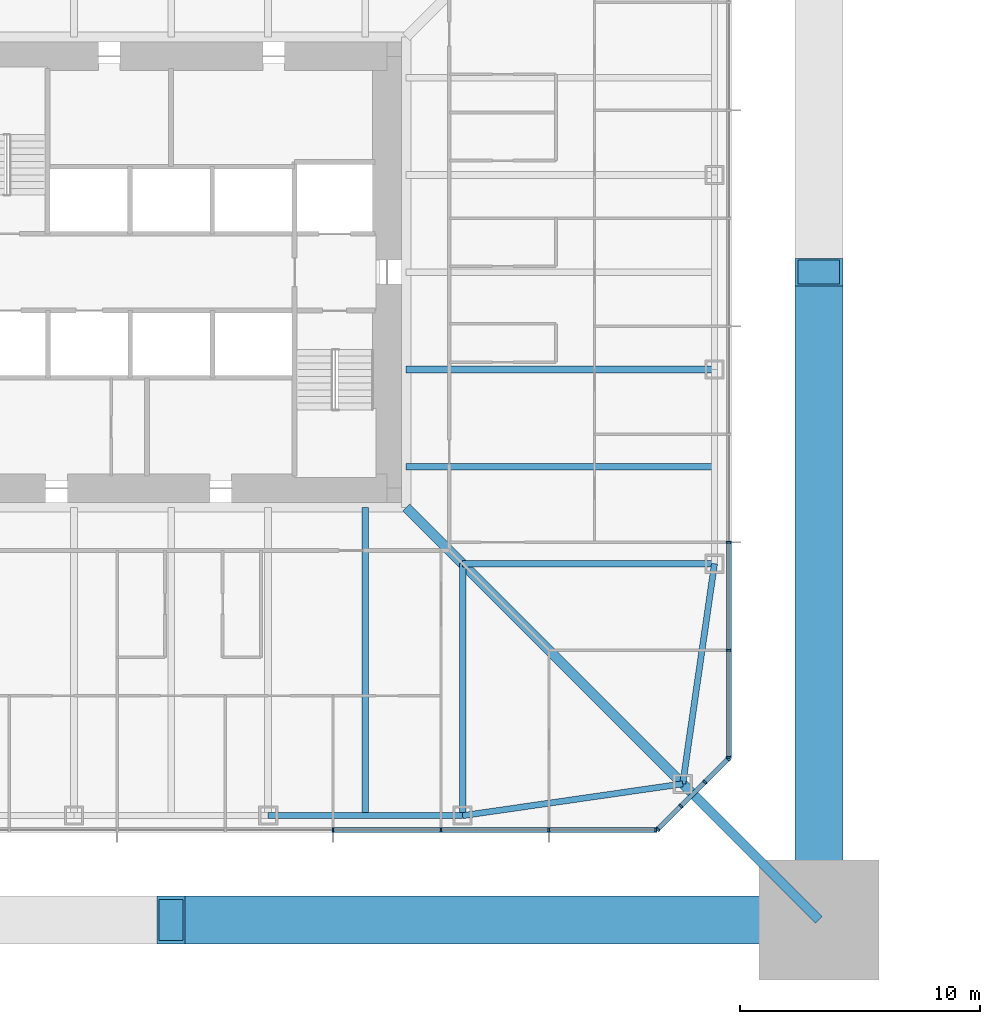
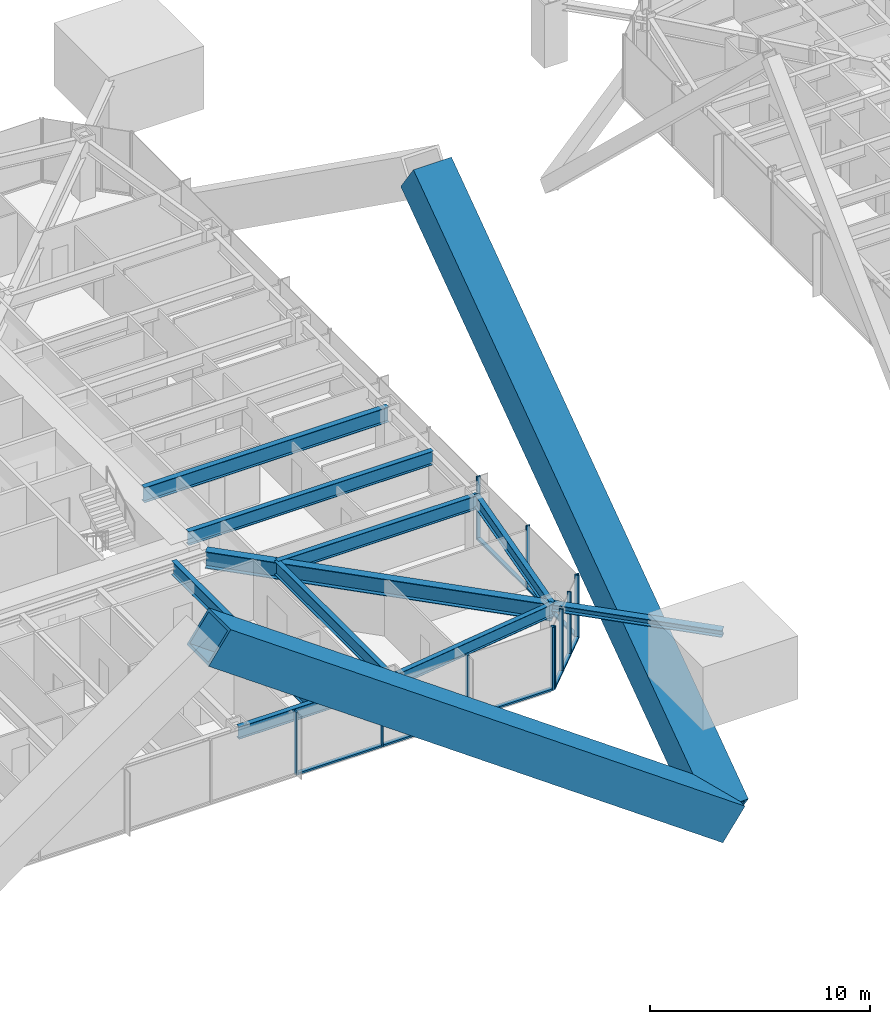
# One storey, part 5 of 28: 22 members, 9 beams, 3 elements without a shape of their own.
"""IFC4 building model written with IfcOpenShell, lengths in metres."""

from ifc_helpers import new_model, si_unit, direction, frame, origin, origin_2d, place, context, subcontext, project, spatial, rectangle, hollow_rectangle, i_section, extrude, material, material_profile, profile_set, type_object, element, aggregate, save


model = new_model("IFC4")

# Units and contexts
model_context = context("Model", 3, precision=1e-05, world=origin(), true_north=direction((0.0, 1.0)))
body_context = subcontext(model_context, "Body", "Model", "MODEL_VIEW")
ifc_project = project(units=[si_unit("LENGTHUNIT", "METRE"), si_unit("AREAUNIT", "SQUARE_METRE"), si_unit("VOLUMEUNIT", "CUBIC_METRE"), si_unit("PLANEANGLEUNIT", "RADIAN"), si_unit("MASSUNIT", "GRAM", prefix="KILO")], contexts=[model_context])

# Site, building, storey
site_placement = place(None, origin())
site = spatial("IfcSite", under=ifc_project, at=site_placement, CompositionType="ELEMENT")
building_placement = place(site_placement, origin())
building = spatial("IfcBuilding", under=site, at=building_placement, Name="Iwan Alto Co-Living Towers", CompositionType="ELEMENT")
storey_placement = place(building_placement, frame((0.0, 0.0, 43.0)))
storey = spatial("IfcBuildingStorey", under=building, at=storey_placement, Name="L11", CompositionType="ELEMENT", Elevation=43.0)

# Curtain wall, members
ifc_material_1 = material(Name="Bronze aluminium unitised frame", Category="aluminium")
curtain_wall_type_1 = type_object("IfcCurtainWallType", Name="CURTAIN WALL CW-A", PredefinedType="NOTDEFINED", material=ifc_material_1)
curtain_wall_1_placement = place(storey_placement, origin())
curtain_wall_1 = element("IfcCurtainWall", 1, at=curtain_wall_1_placement, inside=storey, type_object=curtain_wall_type_1, Name="T1 curtain wall S L11", PredefinedType="NOTDEFINED")
ifc_material_2 = material(Name="Aluminium 6063-T6 bronze anodised", Category="aluminium")
ifc_material_profile_1 = material_profile(ifc_material_2, rectangle(XDim=0.199951171875, YDim=0.080078125, at=origin_2d()), Name="AL 80X200")
ifc_profile_set_1 = profile_set([ifc_material_profile_1], Name="Aluminium 6063-T6 bronze anodised")
member_type_1 = type_object("IfcMemberType", Name="CW-A MULLION 80X200", PredefinedType="MULLION", material=ifc_profile_set_1)
member_1_placement = place(storey_placement, frame((6.75, -23.25, 0.0), z_axis=(0.0, 0.0, 1.0), x_axis=(0.0, 1.0, 0.0)))
member_1 = element("IfcMember", 2, at=member_1_placement, type_object=member_type_1, Name="CW-A mullion 7", PredefinedType="MULLION", context=body_context, shape_type="SweptSolid", body=[
    extrude(rectangle(XDim=0.199951171875, YDim=0.080078125, at=origin_2d()), origin(), (0.0, 0.0, 1.0), 3.5),
])
member_2_placement = place(storey_placement, frame((11.25, -23.25, 0.0), z_axis=(0.0, 0.0, 1.0), x_axis=(0.0, 1.0, 0.0)))
member_2 = element("IfcMember", 3, at=member_2_placement, type_object=member_type_1, Name="CW-A mullion 8", PredefinedType="MULLION", context=body_context, shape_type="SweptSolid", body=[
    extrude(rectangle(XDim=0.199951171875, YDim=0.080078125, at=origin_2d()), origin(), (0.0, 0.0, 1.0), 3.5),
])
member_3_placement = place(storey_placement, frame((15.75, -23.25, 0.0), z_axis=(0.0, 0.0, 1.0), x_axis=(0.0, 1.0, 0.0)))
member_3 = element("IfcMember", 4, at=member_3_placement, type_object=member_type_1, Name="CW-A mullion 9", PredefinedType="MULLION", context=body_context, shape_type="SweptSolid", body=[
    extrude(rectangle(XDim=0.199951171875, YDim=0.080078125, at=origin_2d()), origin(), (0.0, 0.0, 1.0), 3.5),
])
member_4_placement = place(storey_placement, frame((20.2099609375, -23.25, 0.0), z_axis=(0.0, 0.0, 1.0), x_axis=(0.0, 1.0, 0.0)))
member_4 = element("IfcMember", 5, at=member_4_placement, type_object=member_type_1, Name="CW-A mullion 10", PredefinedType="MULLION", context=body_context, shape_type="SweptSolid", body=[
    extrude(rectangle(XDim=0.199951171875, YDim=0.080078125, at=origin_2d()), origin(), (0.0, 0.0, 1.0), 3.5),
])

curtain_wall_2_placement = place(storey_placement, origin())
curtain_wall_2 = element("IfcCurtainWall", 6, at=curtain_wall_2_placement, inside=storey, type_object=curtain_wall_type_1, Name="T1 curtain wall E L11", PredefinedType="NOTDEFINED")
member_5_placement = place(storey_placement, frame((23.25, -20.2099609375, 0.0), z_axis=(0.0, 0.0, 1.0), x_axis=(-1.0, 0.0, 0.0)))
member_5 = element("IfcMember", 7, at=member_5_placement, type_object=member_type_1, Name="CW-A mullion 1", PredefinedType="MULLION", context=body_context, shape_type="SweptSolid", body=[
    extrude(rectangle(XDim=0.199951171875, YDim=0.080078125, at=origin_2d()), origin(), (0.0, 0.0, 1.0), 3.5),
])
member_6_placement = place(storey_placement, frame((23.25, -15.75, 0.0), z_axis=(0.0, 0.0, 1.0), x_axis=(-1.0, 0.0, 0.0)))
member_6 = element("IfcMember", 8, at=member_6_placement, type_object=member_type_1, Name="CW-A mullion 2", PredefinedType="MULLION", context=body_context, shape_type="SweptSolid", body=[
    extrude(rectangle(XDim=0.199951171875, YDim=0.080078125, at=origin_2d()), origin(), (0.0, 0.0, 1.0), 3.5),
])
member_7_placement = place(storey_placement, frame((23.25, -11.25, 0.0), z_axis=(0.0, 0.0, 1.0), x_axis=(-1.0, 0.0, 0.0)))
member_7 = element("IfcMember", 9, at=member_7_placement, type_object=member_type_1, Name="CW-A mullion 3", PredefinedType="MULLION", context=body_context, shape_type="SweptSolid", body=[
    extrude(rectangle(XDim=0.199951171875, YDim=0.080078125, at=origin_2d()), origin(), (0.0, 0.0, 1.0), 3.5),
])

# Member
ifc_material_3 = material(Name="Aluminium 6063-T6 bronze anodised", Category="aluminium")
ifc_material_profile_2 = material_profile(ifc_material_3, rectangle(XDim=0.199951171875, YDim=0.10009765625, at=origin_2d()), Name="AL 200X100")
ifc_profile_set_2 = profile_set([ifc_material_profile_2], Name="Aluminium 6063-T6 bronze anodised")
member_type_2 = type_object("IfcMemberType", Name="CW-A TRANSOM 200X100", PredefinedType="USERDEFINED", material=ifc_profile_set_2)
member_8_placement = place(storey_placement, frame((6.7900390625, -23.25, 0.050048828125), z_axis=(1.0, 0.0, 0.0), x_axis=(0.0, 1.0, 0.0)))
member_8 = element("IfcMember", 10, at=member_8_placement, type_object=member_type_2, Name="CW-A transom 7.1", ObjectType="TRANSOM", PredefinedType="USERDEFINED", context=body_context, shape_type="SweptSolid", body=[
    extrude(rectangle(XDim=0.199951171875, YDim=0.10009765625, at=origin_2d()), origin(), (0.0, 0.0, 1.0), 4.419921875),
])

member_9_placement = place(storey_placement, frame((11.2900390625, -23.25, 0.050048828125), z_axis=(1.0, 0.0, 0.0), x_axis=(0.0, 1.0, 0.0)))
member_9 = element("IfcMember", 11, at=member_9_placement, type_object=member_type_2, Name="CW-A transom 8.1", ObjectType="TRANSOM", PredefinedType="USERDEFINED", context=body_context, shape_type="SweptSolid", body=[
    extrude(rectangle(XDim=0.199951171875, YDim=0.10009765625, at=origin_2d()), origin(), (0.0, 0.0, 1.0), 4.419921875),
])

member_10_placement = place(storey_placement, frame((15.7900390625, -23.25, 0.050048828125), z_axis=(1.0, 0.0, 0.0), x_axis=(0.0, 1.0, 0.0)))
member_10 = element("IfcMember", 12, at=member_10_placement, type_object=member_type_2, Name="CW-A transom 9.1", ObjectType="TRANSOM", PredefinedType="USERDEFINED", context=body_context, shape_type="SweptSolid", body=[
    extrude(rectangle(XDim=0.199951171875, YDim=0.10009765625, at=origin_2d()), origin(), (0.0, 0.0, 1.0), 4.3798828125),
])

aggregate(curtain_wall_1, [member_1, member_2, member_3, member_4, member_8, member_9, member_10])

member_11_placement = place(storey_placement, frame((23.25, -20.169921875, 0.050048828125), z_axis=(0.0, 1.0, 0.0), x_axis=(-1.0, 0.0, 0.0)))
member_11 = element("IfcMember", 13, at=member_11_placement, type_object=member_type_2, Name="CW-A transom 1.1", ObjectType="TRANSOM", PredefinedType="USERDEFINED", context=body_context, shape_type="SweptSolid", body=[
    extrude(rectangle(XDim=0.199951171875, YDim=0.10009765625, at=origin_2d()), origin(), (0.0, 0.0, 1.0), 4.3798828125),
])

member_12_placement = place(storey_placement, frame((23.25, -15.7099609375, 0.050048828125), z_axis=(0.0, 1.0, 0.0), x_axis=(-1.0, 0.0, 0.0)))
member_12 = element("IfcMember", 14, at=member_12_placement, type_object=member_type_2, Name="CW-A transom 2.1", ObjectType="TRANSOM", PredefinedType="USERDEFINED", context=body_context, shape_type="SweptSolid", body=[
    extrude(rectangle(XDim=0.199951171875, YDim=0.10009765625, at=origin_2d()), origin(), (0.0, 0.0, 1.0), 4.419921875),
])

aggregate(curtain_wall_2, [member_5, member_6, member_7, member_11, member_12])

# Curtain wall, members
ifc_material_4 = material(Name="Bronze aluminium unitised frame", Category="aluminium")
curtain_wall_type_2 = type_object("IfcCurtainWallType", Name="CURTAIN WALL CW-B", PredefinedType="NOTDEFINED", material=ifc_material_4)
curtain_wall_3_placement = place(storey_placement, origin())
curtain_wall_3 = element("IfcCurtainWall", 15, at=curtain_wall_3_placement, inside=storey, type_object=curtain_wall_type_2, Name="T1 chamfer curtain wall SE L11", PredefinedType="NOTDEFINED")
ifc_material_5 = material(Name="Aluminium 6063-T6 bronze anodised", Category="aluminium")
ifc_material_profile_3 = material_profile(ifc_material_5, rectangle(XDim=0.199951171875, YDim=0.080078125, at=origin_2d()), Name="AL 80X200")
ifc_profile_set_3 = profile_set([ifc_material_profile_3], Name="Aluminium 6063-T6 bronze anodised")
member_type_3 = type_object("IfcMemberType", Name="CW-B MULLION 80X200", PredefinedType="MULLION", material=ifc_profile_set_3)
member_13_placement = place(storey_placement, frame((20.2783203125, -23.2216796875, 0.0), z_axis=(0.0, 0.0, 1.0), x_axis=(-0.707106781187, 0.707106781187, 0.0)))
member_13 = element("IfcMember", 16, at=member_13_placement, type_object=member_type_3, Name="CW-B mullion 1", PredefinedType="MULLION", context=body_context, shape_type="SweptSolid", body=[
    extrude(rectangle(XDim=0.199951171875, YDim=0.080078125, at=origin_2d()), origin(), (0.0, 0.0, 1.0), 3.5),
])
member_14_placement = place(storey_placement, frame((21.25, -22.25, 0.0), z_axis=(0.0, 0.0, 1.0), x_axis=(-0.707106781187, 0.707106781187, 0.0)))
member_14 = element("IfcMember", 17, at=member_14_placement, type_object=member_type_3, Name="CW-B mullion 2", PredefinedType="MULLION", context=body_context, shape_type="SweptSolid", body=[
    extrude(rectangle(XDim=0.199951171875, YDim=0.080078125, at=origin_2d()), origin(), (0.0, 0.0, 1.0), 3.5),
])
member_15_placement = place(storey_placement, frame((22.25, -21.25, 0.0), z_axis=(0.0, 0.0, 1.0), x_axis=(-0.707106781187, 0.707106781187, 0.0)))
member_15 = element("IfcMember", 18, at=member_15_placement, type_object=member_type_3, Name="CW-B mullion 3", PredefinedType="MULLION", context=body_context, shape_type="SweptSolid", body=[
    extrude(rectangle(XDim=0.199951171875, YDim=0.080078125, at=origin_2d()), origin(), (0.0, 0.0, 1.0), 3.5),
])
member_16_placement = place(storey_placement, frame((23.2216796875, -20.2783203125, 0.0), z_axis=(0.0, 0.0, 1.0), x_axis=(-0.707106781187, 0.707106781187, 0.0)))
member_16 = element("IfcMember", 19, at=member_16_placement, type_object=member_type_3, Name="CW-B mullion 4", PredefinedType="MULLION", context=body_context, shape_type="SweptSolid", body=[
    extrude(rectangle(XDim=0.199951171875, YDim=0.080078125, at=origin_2d()), origin(), (0.0, 0.0, 1.0), 3.5),
])
ifc_material_6 = material(Name="Aluminium 6063-T6 bronze anodised", Category="aluminium")
ifc_material_profile_4 = material_profile(ifc_material_6, rectangle(XDim=0.199951171875, YDim=0.10009765625, at=origin_2d()), Name="AL 200X100")
ifc_profile_set_4 = profile_set([ifc_material_profile_4], Name="Aluminium 6063-T6 bronze anodised")
member_type_4 = type_object("IfcMemberType", Name="CW-B TRANSOM 200X100", PredefinedType="USERDEFINED", material=ifc_profile_set_4)
member_17_placement = place(storey_placement, frame((20.306640625, -23.193359375, 0.050048828125), z_axis=(0.707106781187, 0.707106781187, 0.0), x_axis=(-0.707106781187, 0.707106781187, 0.0)))
member_17 = element("IfcMember", 20, at=member_17_placement, type_object=member_type_4, Name="CW-B transom 1.1", ObjectType="TRANSOM", PredefinedType="USERDEFINED", context=body_context, shape_type="SweptSolid", body=[
    extrude(rectangle(XDim=0.199951171875, YDim=0.10009765625, at=origin_2d()), origin(), (0.0, 0.0, 1.0), 1.2939453125),
])
member_18_placement = place(storey_placement, frame((21.2783203125, -22.2216796875, 0.050048828125), z_axis=(0.707106781187, 0.707106781187, 0.0), x_axis=(-0.707106781187, 0.707106781187, 0.0)))
member_18 = element("IfcMember", 21, at=member_18_placement, type_object=member_type_4, Name="CW-B transom 2.1", ObjectType="TRANSOM", PredefinedType="USERDEFINED", context=body_context, shape_type="SweptSolid", body=[
    extrude(rectangle(XDim=0.199951171875, YDim=0.10009765625, at=origin_2d()), origin(), (0.0, 0.0, 1.0), 1.334228515625),
])
member_19_placement = place(storey_placement, frame((22.2783203125, -21.2216796875, 0.050048828125), z_axis=(0.707106781187, 0.707106781187, 0.0), x_axis=(-0.707106781187, 0.707106781187, 0.0)))
member_19 = element("IfcMember", 22, at=member_19_placement, type_object=member_type_4, Name="CW-B transom 3.1", ObjectType="TRANSOM", PredefinedType="USERDEFINED", context=body_context, shape_type="SweptSolid", body=[
    extrude(rectangle(XDim=0.199951171875, YDim=0.10009765625, at=origin_2d()), origin(), (0.0, 0.0, 1.0), 1.2939453125),
])
aggregate(curtain_wall_3, [member_13, member_14, member_15, member_16, member_17, member_18, member_19])

# Beams
ifc_material_7 = material(Name="Steel ASTM A992 Gr 50", Category="steel")
ifc_material_profile_5 = material_profile(ifc_material_7, i_section(OverallWidth=0.419189453125, OverallDepth=0.927001953125, WebThickness=0.019287109375, FlangeThickness=0.031982421875, at=origin_2d()), Name="W36X231")
ifc_profile_set_5 = profile_set([ifc_material_profile_5], Name="Steel ASTM A992 Gr 50")
beam_type_1 = type_object("IfcBeamType", Name="T1 CORNER GIRDER W36X231", PredefinedType="BEAM", material=ifc_profile_set_5)
beam_1_placement = place(storey_placement, frame((21.32568359375, -21.32568359375, 2.806396484375), z_axis=(-0.707106781187, 0.707106781187, 0.0), x_axis=(-0.707106781187, -0.707106781187, 0.0)))
element("IfcBeam", 23, at=beam_1_placement, inside=storey, type_object=beam_type_1, Name="T1 corner girder CSE L12", PredefinedType="BEAM", context=body_context, shape_type="SweptSolid", body=[
    extrude(i_section(OverallWidth=0.419189453125, OverallDepth=0.927001953125, WebThickness=0.019287109375, FlangeThickness=0.031982421875, at=origin_2d()), origin(), (0.0, 0.0, 1.0), 16.296875),
])
ifc_material_8 = material(Name="Steel ASTM A992 Gr 50", Category="steel")
ifc_material_profile_6 = material_profile(ifc_material_8, i_section(OverallWidth=0.25390625, OverallDepth=0.683349609375, WebThickness=0.012451171875, FlangeThickness=0.018798828125, at=origin_2d()), Name="W27X94")
ifc_profile_set_6 = profile_set([ifc_material_profile_6], Name="Steel ASTM A992 Gr 50")
beam_type_2 = type_object("IfcBeamType", Name="T1 EDGE BEAM W27X94", PredefinedType="BEAM", material=ifc_profile_set_6)
beam_2_placement = place(storey_placement, frame((4.050048828125, -22.64990234375, 2.928466796875), z_axis=(1.0, 0.0, 0.0), x_axis=(0.0, 1.0, 0.0)))
element("IfcBeam", 24, at=beam_2_placement, inside=storey, type_object=beam_type_2, Name="T1 edge beam S3 L12", PredefinedType="BEAM", context=body_context, shape_type="SweptSolid", body=[
    extrude(i_section(OverallWidth=0.25390625, OverallDepth=0.683349609375, WebThickness=0.012451171875, FlangeThickness=0.018798828125, at=origin_2d()), origin(), (0.0, 0.0, 1.0), 8.099853515625),
])
for number, where, z_axis, x_axis, name in (
    (25, (12.14990234375, -22.64990234375, 2.928466796875), (0.989746234347, 0.142836940589, 0.0), (-0.142836940589, 0.989746234347, 0.0), "T1 edge beam S4 L12"),
    (26, (21.32568359375, -21.32568359375, 2.928466796875), (0.142836940589, 0.989746234347, 0.0), (-0.989746234347, 0.142836940589, 0.0), "T1 edge beam CSE L12"),
):
    element("IfcBeam", number, at=place(storey_placement, frame(where, z_axis=z_axis, x_axis=x_axis)), inside=storey, type_object=beam_type_2, Name=name, PredefinedType="BEAM", context=body_context, shape_type="SweptSolid", body=[
        extrude(i_section(OverallWidth=0.25390625, OverallDepth=0.683349609375, WebThickness=0.012451171875, FlangeThickness=0.018798828125, at=origin_2d()), origin(), (0.0, 0.0, 1.0), 9.270751953125),
    ])

# Members
ifc_material_9 = material(Name="Steel ASTM A572 Gr 42", Category="steel")
ifc_material_profile_7 = material_profile(ifc_material_9, hollow_rectangle(XDim=2.0, YDim=2.0, WallThickness=0.139892578125, at=origin_2d()), Name="BOX 2000X2000X140")
ifc_profile_set_7 = profile_set([ifc_material_profile_7], Name="Steel ASTM A572 Gr 42")
member_type_5 = type_object("IfcMemberType", Name="T1 MEGA BRACE BOX 2000X2000X140", PredefinedType="BRACE", material=ifc_profile_set_7)
for number, where, z_axis, x_axis, name in (
    (27, (27.0, -27.0, -7.0), (-0.814242569702, 0.0, 0.580524795065), (0.0, -1.0, 0.0), "T1 mega brace Z1B S 2 lower"),
    (28, (27.0, -27.0, -7.0), (0.0, 0.814242569702, 0.580524795065), (-1.0, 0.0, 0.0), "T1 mega brace Z1B E 1 lower"),
):
    element("IfcMember", number, at=place(storey_placement, frame(where, z_axis=z_axis, x_axis=x_axis)), inside=storey, type_object=member_type_5, Name=name, PredefinedType="BRACE", context=body_context, shape_type="SweptSolid", body=[
        extrude(hollow_rectangle(XDim=2.0, YDim=2.0, WallThickness=0.139892578125, at=origin_2d()), origin(), (0.0, 0.0, 1.0), 33.15966796875),
    ])
ifc_material_10 = material(Name="Steel ASTM A992 Gr 50", Category="steel")
ifc_material_profile_8 = material_profile(ifc_material_10, i_section(OverallWidth=0.393798828125, OverallDepth=0.3759765625, WebThickness=0.017333984375, FlangeThickness=0.027587890625, at=origin_2d()), Name="W14X145")
ifc_profile_set_8 = profile_set([ifc_material_profile_8], Name="Steel ASTM A992 Gr 50")
member_type_6 = type_object("IfcMemberType", Name="T1 MEGA COLUMN FLOOR TIE W14X145", PredefinedType="STRUT", material=ifc_profile_set_8)
member_20_placement = place(storey_placement, frame((27.0, -27.0, 3.08203125), z_axis=(-0.707106781187, 0.707106781187, 0.0), x_axis=(-0.707106781187, -0.707106781187, 0.0)))
element("IfcMember", 29, at=member_20_placement, inside=storey, type_object=member_type_6, Name="T1 mega column floor tie SE L12", PredefinedType="STRUT", context=body_context, shape_type="SweptSolid", body=[
    extrude(i_section(OverallWidth=0.393798828125, OverallDepth=0.3759765625, WebThickness=0.017333984375, FlangeThickness=0.027587890625, at=origin_2d()), origin(), (0.0, 0.0, 1.0), 8.024658203125),
])

# Beams
ifc_material_11 = material(Name="Steel ASTM A992 Gr 50", Category="steel")
ifc_material_profile_9 = material_profile(ifc_material_11, i_section(OverallWidth=0.2666015625, OverallDepth=0.761962890625, WebThickness=0.014404296875, FlangeThickness=0.021484375, at=origin_2d()), Name="W30X116")
ifc_profile_set_9 = profile_set([ifc_material_profile_9], Name="Steel ASTM A992 Gr 50")
beam_type_3 = type_object("IfcBeamType", Name="T1 RADIAL BEAM W30X116", PredefinedType="BEAM", material=ifc_profile_set_9)
for number, where, z_axis, x_axis, name in (
    (30, (12.14990234375, -22.64990234375, 2.888916015625), (0.0, 1.0, 0.0), (-1.0, 0.0, 0.0), "T1 radial beam S4 L12"),
    (31, (22.64990234375, -12.14990234375, 2.888916015625), (-1.0, 0.0, 0.0), (0.0, -1.0, 0.0), "T1 radial beam E1 L12"),
):
    element("IfcBeam", number, at=place(storey_placement, frame(where, z_axis=z_axis, x_axis=x_axis)), inside=storey, type_object=beam_type_3, Name=name, PredefinedType="BEAM", context=body_context, shape_type="SweptSolid", body=[
        extrude(i_section(OverallWidth=0.2666015625, OverallDepth=0.761962890625, WebThickness=0.014404296875, FlangeThickness=0.021484375, at=origin_2d()), origin(), (0.0, 0.0, 1.0), 10.5),
    ])
ifc_material_12 = material(Name="Steel ASTM A992 Gr 50", Category="steel")
ifc_material_profile_10 = material_profile(ifc_material_12, i_section(OverallWidth=0.2919921875, OverallDepth=0.8408203125, WebThickness=0.0146484375, FlangeThickness=0.021728515625, at=origin_2d()), Name="W33X130")
ifc_profile_set_10 = profile_set([ifc_material_profile_10], Name="Steel ASTM A992 Gr 50")
beam_type_4 = type_object("IfcBeamType", Name="T1 RADIAL BEAM W33X130", PredefinedType="BEAM", material=ifc_profile_set_10)
beam_3_placement = place(storey_placement, frame((22.64990234375, -4.050048828125, 2.849609375), z_axis=(-1.0, 0.0, 0.0), x_axis=(0.0, -1.0, 0.0)))
element("IfcBeam", 32, at=beam_3_placement, inside=storey, type_object=beam_type_4, Name="T1 radial beam E2 L12", PredefinedType="BEAM", context=body_context, shape_type="SweptSolid", body=[
    extrude(i_section(OverallWidth=0.2919921875, OverallDepth=0.8408203125, WebThickness=0.0146484375, FlangeThickness=0.021728515625, at=origin_2d()), origin(), (0.0, 0.0, 1.0), 12.847900390625),
])
ifc_material_13 = material(Name="Steel ASTM A992 Gr 50", Category="steel")
ifc_material_profile_11 = material_profile(ifc_material_13, i_section(OverallWidth=0.2666015625, OverallDepth=0.761962890625, WebThickness=0.014404296875, FlangeThickness=0.021484375, at=origin_2d()), Name="W30X116")
ifc_profile_set_11 = profile_set([ifc_material_profile_11], Name="Steel ASTM A992 Gr 50")
beam_type_5 = type_object("IfcBeamType", Name="T1 SECONDARY BEAM W30X116", PredefinedType="JOIST", material=ifc_profile_set_11)
for number, where, z_axis, x_axis, name in (
    (33, (8.10009765625, -22.64990234375, 2.888916015625), (0.0, 1.0, 0.0), (-1.0, 0.0, 0.0), "T1 secondary beam S3 L12"),
    (34, (22.64990234375, -8.10009765625, 2.888916015625), (-1.0, 0.0, 0.0), (0.0, -1.0, 0.0), "T1 secondary beam E1 L12"),
):
    element("IfcBeam", number, at=place(storey_placement, frame(where, z_axis=z_axis, x_axis=x_axis)), inside=storey, type_object=beam_type_5, Name=name, PredefinedType="JOIST", context=body_context, shape_type="SweptSolid", body=[
        extrude(i_section(OverallWidth=0.2666015625, OverallDepth=0.761962890625, WebThickness=0.014404296875, FlangeThickness=0.021484375, at=origin_2d()), origin(), (0.0, 0.0, 1.0), 12.847900390625),
    ])

save(model, "model.ifc")
